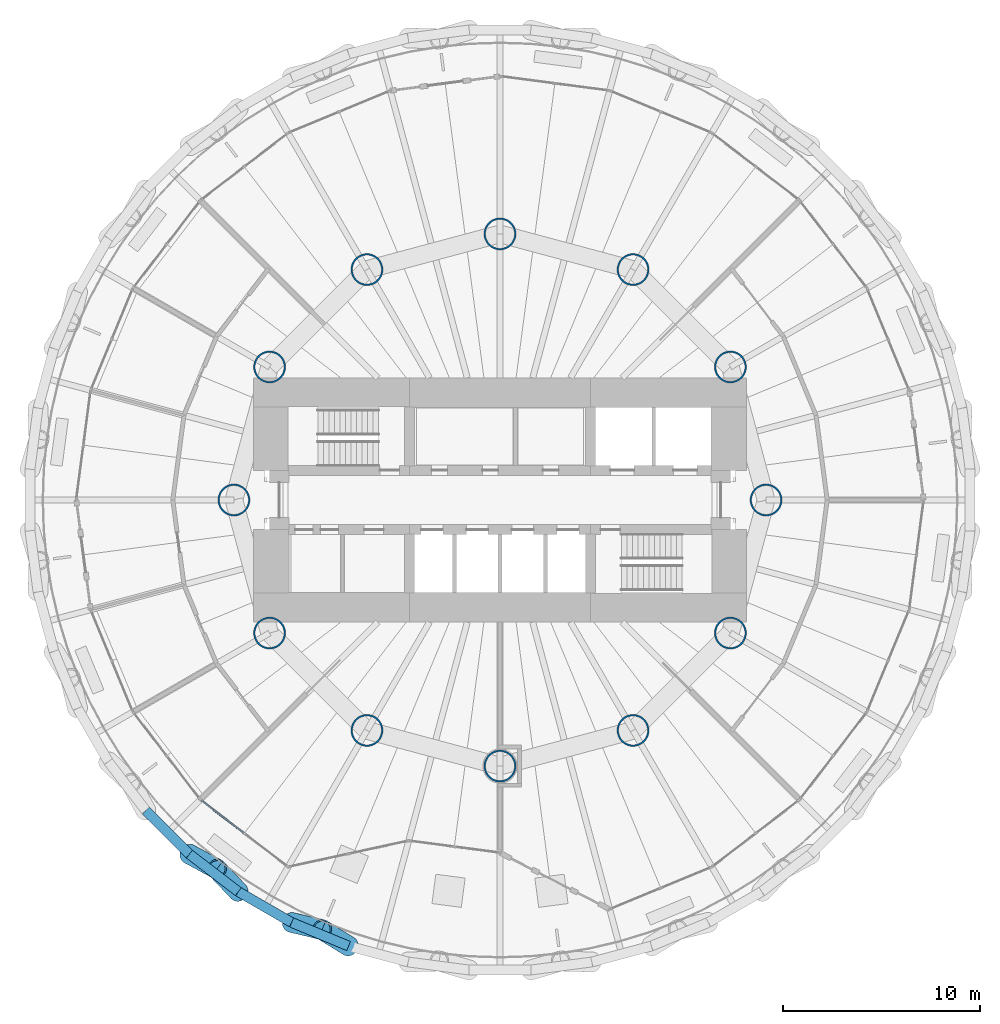
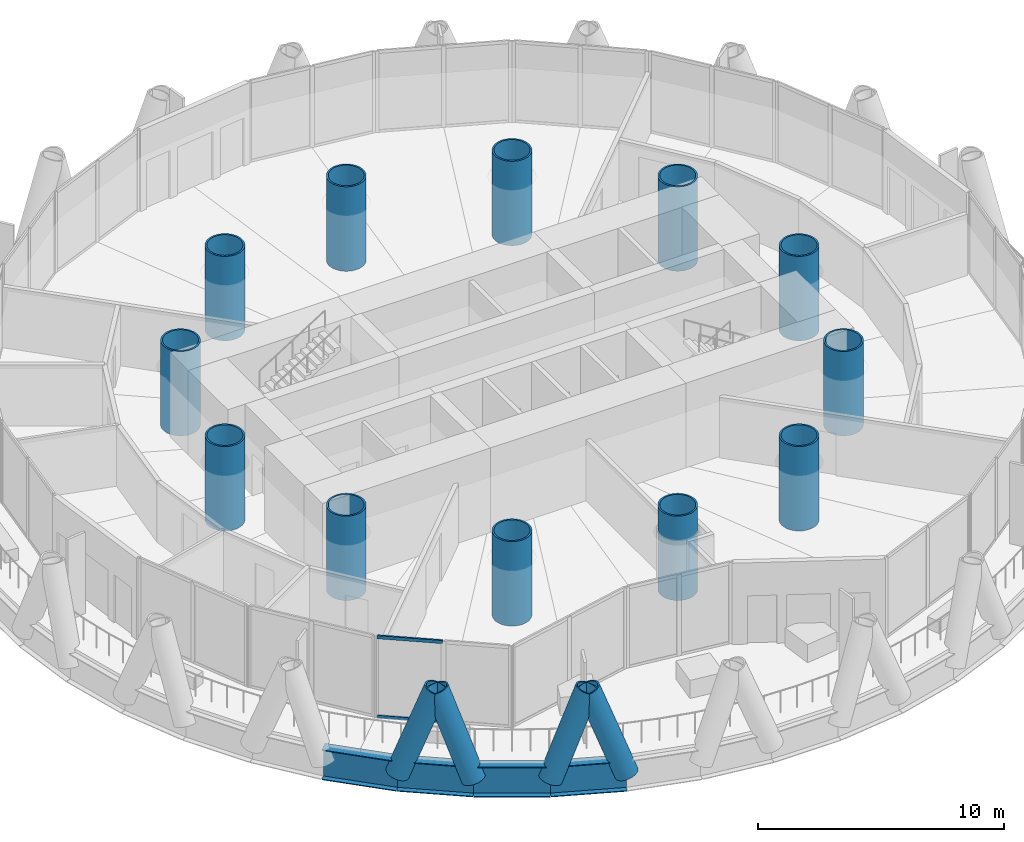
# One storey, part 1 of 15: 12 columns, 6 members, 4 beams, 1 element without a shape of its own.
"""IFC4 building model written with IfcOpenShell, lengths in metres."""

import ifcopenshell
import ifcopenshell.guid

model = None  # the IFC model being written
_history = None  # IfcOwnerHistory: only IFC2X3 demands one
_inside = {}  # id of a spatial element -> (the spatial element, [elements in it])
_under = {}  # id of a project, library or spatial element -> (it, [spatial elements below it])
_declared = {}  # id of a project -> (the project, [libraries it declares])
_typed = {}  # id of a type object -> (the type object, [elements of that type])
_made_of = {}  # id of a material, layer set ... -> (it, [elements and type objects made of it])


def new_model(schema):
    """Start an empty IFC model of exactly this schema.

    Asked for "IFC4X3", IfcOpenShell would pick the latest addendum, in which some entities
    have other attributes; the version numbers below select the first issue.
    IFC2X3 requires an IfcOwnerHistory on every rooted entity: one is made here for all.
    """
    global model, _history
    if schema == "IFC4X3":
        model = ifcopenshell.file(schema_version=(4, 3, 0, 0))
    else:
        model = ifcopenshell.file(schema=schema)
    _inside.clear()
    _under.clear()
    _declared.clear()
    _typed.clear()
    _made_of.clear()
    _history = None
    if model.schema == "IFC2X3":
        org = make("IfcOrganization", Name="unknown")
        user = make(
            "IfcPersonAndOrganization",
            ThePerson=make("IfcPerson", FamilyName="unknown"),
            TheOrganization=org,
        )
        app = make(
            "IfcApplication",
            ApplicationDeveloper=org,
            Version="unknown",
            ApplicationFullName="unknown",
            ApplicationIdentifier="unknown",
        )
        _history = make(
            "IfcOwnerHistory",
            OwningUser=user,
            OwningApplication=app,
            ChangeAction="ADDED",
            CreationDate=0,
        )
    return model


def make(cls, **values):
    """One entity of the class cls with the attributes given. An attribute that is None is left unset."""
    return model.create_entity(
        cls, **{name: value for name, value in values.items() if value is not None}
    )


def rooted(cls, **values):
    """An entity with a GlobalId (a new one), such as an element, a storey or a relation."""
    return make(cls, GlobalId=ifcopenshell.guid.new(), OwnerHistory=_history, **values)


def si_unit(unit_type, name, prefix=None):
    """IfcSIUnit, for example si_unit("LENGTHUNIT", "METRE", prefix="MILLI")."""
    return make("IfcSIUnit", UnitType=unit_type, Prefix=prefix, Name=name)


def assignment(units):
    """IfcUnitAssignment: the units of a project."""
    return None if units is None else make("IfcUnitAssignment", Units=units)


def point(xyz):
    """IfcCartesianPoint."""
    return None if xyz is None else make("IfcCartesianPoint", Coordinates=xyz)


def direction(xyz):
    """IfcDirection."""
    return None if xyz is None else make("IfcDirection", DirectionRatios=xyz)


def frame(location, z_axis=None, x_axis=None):
    """IfcAxis2Placement3D, a coordinate frame: its origin and axes. An axis left out is left unset."""
    return make(
        "IfcAxis2Placement3D",
        Location=point(location),
        Axis=direction(z_axis),
        RefDirection=direction(x_axis),
    )


def frame_2d(location, x_axis=None):
    """IfcAxis2Placement2D, a coordinate frame in the plane: its origin and x axis."""
    return make(
        "IfcAxis2Placement2D", Location=point(location), RefDirection=direction(x_axis)
    )


def origin():
    """The frame at (0, 0, 0) with its axes left unset."""
    return frame((0.0, 0.0, 0.0))


def origin_2d():
    """The frame at (0, 0) in the plane with its x axis left unset."""
    return frame_2d((0.0, 0.0))


def place(relative_to, where):
    """IfcLocalPlacement: puts the frame where relative to a parent placement (None: the world)."""
    return make(
        "IfcLocalPlacement", PlacementRelTo=relative_to, RelativePlacement=where
    )


def context(
    kind, dimensions, precision=None, world=None, true_north=None, identifier=None
):
    """IfcGeometricRepresentationContext, for example the 3D "Model" context."""
    return make(
        "IfcGeometricRepresentationContext",
        ContextIdentifier=identifier,
        ContextType=kind,
        CoordinateSpaceDimension=dimensions,
        Precision=precision,
        WorldCoordinateSystem=world,
        TrueNorth=true_north,
    )


def subcontext(parent, identifier, kind, view, scale=None):
    """IfcGeometricRepresentationSubContext, for example "Body" below "Model"."""
    return make(
        "IfcGeometricRepresentationSubContext",
        ContextIdentifier=identifier,
        ContextType=kind,
        ParentContext=parent,
        TargetScale=scale,
        TargetView=view,
    )


def project(units=None, contexts=None):
    """IfcProject with its units and contexts."""
    return rooted(
        "IfcProject",
        Name="project",
        RepresentationContexts=contexts,
        UnitsInContext=assignment(units),
    )


def spatial(cls, under=None, at=None, **own):
    """A site, building, storey or space (cls), placed at a placement, below another one or the project."""
    s = rooted(cls, ObjectPlacement=at, **own)
    if under is not None:
        _under.setdefault(under.id(), (under, []))[1].append(s)
    return s


def profile(cls, at=None, kind="AREA", **sizes):
    """A parametric profile (cls). Its sizes go by their IFC names, for example OverallWidth=200.0."""
    return make(cls, ProfileType=kind, Position=at, **sizes)


def rectangle(**sizes):
    """IfcRectangleProfileDef."""
    return profile("IfcRectangleProfileDef", **sizes)


def hollow_circle(**sizes):
    """IfcCircleHollowProfileDef."""
    return profile("IfcCircleHollowProfileDef", **sizes)


def i_section(**sizes):
    """IfcIShapeProfileDef."""
    return profile("IfcIShapeProfileDef", **sizes)


def extrude(swept, where, along, depth):
    """IfcExtrudedAreaSolid: the profile swept, set in the frame where, extruded along a direction by depth."""
    return make(
        "IfcExtrudedAreaSolid",
        SweptArea=swept,
        Position=where,
        ExtrudedDirection=direction(along),
        Depth=depth,
    )


def shape(context_of_items, identifier, shape_type, items):
    """IfcShapeRepresentation: the items that make up one representation, for example the "Body"."""
    return make(
        "IfcShapeRepresentation",
        ContextOfItems=context_of_items,
        RepresentationIdentifier=identifier,
        RepresentationType=shape_type,
        Items=items,
    )


def material(Name=None, Category=None):
    """IfcMaterial."""
    return make("IfcMaterial", Name=Name, Category=Category)


def material_profile(
    of_material, cross_section, Name=None, Category=None, Priority=None
):
    """IfcMaterialProfile: a cross section and its material."""
    return make(
        "IfcMaterialProfile",
        Name=Name,
        Material=of_material,
        Profile=cross_section,
        Priority=Priority,
        Category=Category,
    )


def profile_set(profiles, Name=None, composite=None):
    """IfcMaterialProfileSet."""
    return make(
        "IfcMaterialProfileSet",
        Name=Name,
        MaterialProfiles=profiles,
        CompositeProfile=composite,
    )


def made_of(thing, what):
    """Note that an element or type object is made of a material, layer set ...; save() writes the relation."""
    if what is not None:
        _made_of.setdefault(what.id(), (what, []))[1].append(thing)
    return thing


def type_object(cls, material=None, **own):
    """A type object (cls), such as IfcWallType, which elements share."""
    return made_of(rooted(cls, **own), material)


def element(
    cls,
    number,
    at=None,
    inside=None,
    cuts=None,
    type_object=None,
    material=None,
    context=None,
    identifier="Body",
    shape_type=None,
    held_by="IfcProductDefinitionShape",
    body=None,
    shapes=None,
    **own,
):
    """One element of the class cls, such as IfcWall. Its Tag is "e" and its number.

    at: its placement. inside: the storey or other place that contains it. cuts: it is an
    opening in that element (IfcRelVoidsElement). A single representation is given by context,
    identifier, shape_type and body (its items); several are given by shapes. held_by: the class
    of the entity that holds the representations. save() writes the other relations.
    """
    e = rooted(cls, Tag="e%d" % number, ObjectPlacement=at, **own)
    if body is not None:
        shapes = [shape(context, identifier, shape_type, body)]
    if shapes is not None:
        e.Representation = make(held_by, Representations=shapes)
    if inside is not None:
        _inside.setdefault(inside.id(), (inside, []))[1].append(e)
    if cuts is not None:
        rooted(
            "IfcRelVoidsElement", RelatingBuildingElement=cuts, RelatedOpeningElement=e
        )
    if type_object is not None:
        _typed.setdefault(type_object.id(), (type_object, []))[1].append(e)
    return made_of(e, material)


def aggregate(whole, parts):
    """IfcRelAggregates: a whole, such as a stair, and the parts it consists of."""
    return rooted("IfcRelAggregates", RelatingObject=whole, RelatedObjects=parts)


def save(model, path):
    """Write the relations noted so far, then the file.

    IfcRelAggregates (storeys below a building ...), IfcRelContainedInSpatialStructure (elements
    in a storey), IfcRelDefinesByType, IfcRelAssociatesMaterial and IfcRelDeclares: one each for
    every whole, place, type object, material and project.
    """
    for whole, parts in _under.values():
        aggregate(whole, parts)
    for where, things in _inside.values():
        rooted(
            "IfcRelContainedInSpatialStructure",
            RelatedElements=things,
            RelatingStructure=where,
        )
    for kind, things in _typed.values():
        rooted("IfcRelDefinesByType", RelatedObjects=things, RelatingType=kind)
    for what, things in _made_of.values():
        rooted("IfcRelAssociatesMaterial", RelatedObjects=things, RelatingMaterial=what)
    for by, libraries in _declared.values():
        rooted("IfcRelDeclares", RelatingContext=by, RelatedDefinitions=libraries)
    model.write(path)


model = new_model("IFC4")

# Units and contexts
model_context = context("Model", 3, precision=1e-05, world=origin(), true_north=direction((0.0, 1.0)))
body_context = subcontext(model_context, "Body", "Model", "MODEL_VIEW")
ifc_project = project(units=[si_unit("LENGTHUNIT", "METRE"), si_unit("AREAUNIT", "SQUARE_METRE"), si_unit("VOLUMEUNIT", "CUBIC_METRE"), si_unit("PLANEANGLEUNIT", "RADIAN"), si_unit("MASSUNIT", "GRAM", prefix="KILO")], contexts=[model_context])

# Site, building, storey
site_placement = place(None, origin())
site = spatial("IfcSite", under=ifc_project, at=site_placement, CompositionType="ELEMENT")
building_placement = place(site_placement, origin())
building = spatial("IfcBuilding", under=site, at=building_placement, Name="Qaws Media Tower", CompositionType="ELEMENT")
storey_placement = place(building_placement, frame((0.0, 0.0, 198.199951171875)))
storey = spatial("IfcBuildingStorey", under=building, at=storey_placement, Name="L45", CompositionType="ELEMENT", Elevation=198.199951171875)

# Columns
ifc_material_1 = material(Name="Steel S460", Category="steel")
ifc_material_profile_1 = material_profile(ifc_material_1, hollow_circle(Radius=0.81298828125, WallThickness=0.080078125, at=origin_2d()), Name="CHS 1626x80")
ifc_profile_set_1 = profile_set([ifc_material_profile_1], Name="Steel S460")
column_type = type_object("IfcColumnType", Name="Inner column CHS 1626x80", PredefinedType="COLUMN", material=ifc_profile_set_1)
for number, where, z_axis, x_axis, name in (
    (1, (73.5, 50.0, 0.0), (0.0, 0.0, 1.0), (1.0, 0.0, 0.0), "C6 inner column I01 L45"),
    (2, (71.69140625, 56.75, 0.0), (0.0, 0.0, 1.0), (1.0, 0.0, 0.0), "C6 inner column I02 L45"),
    (3, (66.75, 61.69140625, 0.0), (0.0, 0.0, 1.0), (1.0, 0.0, 0.0), "C6 inner column I03 L45"),
    (4, (60.0, 63.5, 0.0), (0.0, 0.0, 1.0), (1.0, 0.0, 0.0), "C6 inner column I04 L45"),
    (5, (53.25, 61.69140625, 0.0), (0.0, 0.0, 1.0), (1.0, 0.0, 0.0), "C6 inner column I05 L45"),
    (6, (48.30859375, 56.75, 0.0), (0.0, 0.0, 1.0), (1.0, 0.0, 0.0), "C6 inner column I06 L45"),
    (7, (46.5, 50.0, 0.0), (0.0, 0.0, 1.0), (1.0, 0.0, 0.0), "C6 inner column I07 L45"),
    (8, (48.30859375, 43.25, 0.0), (0.0, 0.0, 1.0), (1.0, 0.0, 0.0), "C6 inner column I08 L45"),
    (9, (53.25, 38.30859375, 0.0), (0.0, 0.0, 1.0), (1.0, 0.0, 0.0), "C6 inner column I09 L45"),
    (10, (60.0, 36.5, 0.0), (0.0, 0.0, 1.0), (1.0, 0.0, 0.0), "C6 inner column I10 L45"),
    (11, (66.75, 38.30859375, 0.0), (0.0, 0.0, 1.0), (1.0, 0.0, 0.0), "C6 inner column I11 L45"),
    (12, (71.69140625, 43.25, 0.0), (0.0, 0.0, 1.0), (1.0, 0.0, 0.0), "C6 inner column I12 L45"),
):
    element("IfcColumn", number, at=place(storey_placement, frame(where, z_axis=z_axis, x_axis=x_axis)), inside=storey, type_object=column_type, Name=name, PredefinedType="COLUMN", context=body_context, shape_type="SweptSolid", body=[
        extrude(hollow_circle(Radius=0.81298828125, WallThickness=0.080078125, at=origin_2d()), origin(), (0.0, 0.0, 1.0), 4.199951171875),
    ])

# Curtain wall, members
ifc_material_2 = material(Name="Aluminium and clear glass", Category="aluminium")
curtain_wall_type = type_object("IfcCurtainWallType", Name="Unitised curtain wall CW-C", PredefinedType="NOTDEFINED", material=ifc_material_2)
curtain_wall_placement = place(storey_placement, origin())
curtain_wall = element("IfcCurtainWall", 13, at=curtain_wall_placement, inside=storey, type_object=curtain_wall_type, Name="CWC curtain wall L45-16", PredefinedType="NOTDEFINED")
ifc_material_3 = material(Name="Aluminium transom", Category="aluminium")
ifc_material_profile_2 = material_profile(ifc_material_3, rectangle(XDim=0.080078125, YDim=0.159912109375, at=origin_2d()), Name="80x160")
ifc_profile_set_2 = profile_set([ifc_material_profile_2], Name="Aluminium transom")
member_type_1 = type_object("IfcMemberType", Name="Curtain wall transom 80x160", PredefinedType="USERDEFINED", material=ifc_profile_set_2)
member_1_placement = place(storey_placement, frame((44.860595703125, 34.74853515625, 0.0400390625), z_axis=(0.793386899068, -0.608717691863, 0.0), x_axis=(0.608717691863, 0.793386899068, 0.0)))
member_1 = element("IfcMember", 14, at=member_1_placement, type_object=member_type_1, Name="CWC transom 1.1", ObjectType="TRANSOM", PredefinedType="USERDEFINED", context=body_context, shape_type="SweptSolid", body=[
    extrude(rectangle(XDim=0.080078125, YDim=0.159912109375, at=origin_2d()), origin(), (0.0, 0.0, 1.0), 2.686279296875),
])
member_2_placement = place(storey_placement, frame((44.860595703125, 34.74853515625, 4.0), z_axis=(0.793386899068, -0.608717691863, 0.0), x_axis=(0.608717691863, 0.793386899068, 0.0)))
member_2 = element("IfcMember", 15, at=member_2_placement, type_object=member_type_1, Name="CWC transom 1.2", ObjectType="TRANSOM", PredefinedType="USERDEFINED", context=body_context, shape_type="SweptSolid", body=[
    extrude(rectangle(XDim=0.080078125, YDim=0.159912109375, at=origin_2d()), origin(), (0.0, 0.0, 1.0), 2.686279296875),
])
aggregate(curtain_wall, [member_1, member_2])

# Members
ifc_material_4 = material(Name="Steel S460", Category="steel")
ifc_material_profile_3 = material_profile(ifc_material_4, hollow_circle(Radius=0.508056640625, WallThickness=0.070068359375, at=origin_2d()), Name="CHS 1016x70")
ifc_profile_set_3 = profile_set([ifc_material_profile_3], Name="Steel S460")
member_type_2 = type_object("IfcMemberType", Name="Diagrid member CHS 1016x70", PredefinedType="USERDEFINED", material=ifc_profile_set_3)
for number, where, z_axis, x_axis, name in (
    (16, (44.24169921875, 32.031005859375, -0.909912109375), (0.310050534086, -0.168025631543, 0.935754269805), (0.476462021182, 0.879195053655, 0.0), "DG3 diagrid L45 A16"),
    (17, (49.42919921875, 28.564697265625, -0.909912109375), (0.343009853976, -0.082026460481, 0.935743501103), (0.232579556178, 0.972577374839, 0.0), "DG3 diagrid L45 A17"),
    (18, (46.721923828125, 30.1279296875, -0.909912109375), (-0.24254755553, 0.255983134408, 0.935758151557), (-0.725899989111, -0.687800265926, 0.0), "DG3 diagrid L45 B17"),
    (19, (52.317626953125, 27.368408203125, -0.909912109375), (-0.300531719733, 0.184507437707, 0.935755144717), (-0.523202112796, -0.85220863007, 0.0), "DG3 diagrid L45 B18"),
):
    element("IfcMember", number, at=place(storey_placement, frame(where, z_axis=z_axis, x_axis=x_axis)), inside=storey, type_object=member_type_2, Name=name, ObjectType="DIAGRID", PredefinedType="USERDEFINED", context=body_context, shape_type="SweptSolid", body=[
        extrude(hollow_circle(Radius=0.508056640625, WallThickness=0.070068359375, at=origin_2d()), origin(), (0.0, 0.0, 1.0), 4.48828125),
    ])

# Beams
ifc_material_5 = material(Name="Steel S460", Category="steel")
ifc_material_profile_4 = material_profile(ifc_material_5, i_section(OverallWidth=0.5, OverallDepth=1.5, WebThickness=0.02001953125, FlangeThickness=0.0400390625, at=origin_2d()), Name="PG 1500x500")
ifc_profile_set_4 = profile_set([ifc_material_profile_4], Name="Steel S460")
beam_type = type_object("IfcBeamType", Name="Edge ring beam PG 1500x500", PredefinedType="BEAM", material=ifc_profile_set_4)
beam_1_placement = place(storey_placement, frame((42.031005859375, 34.24169921875, -0.909912109375), z_axis=(0.707106781187, -0.707106781187, 0.0), x_axis=(0.707106781187, 0.707106781187, 0.0)))
element("IfcBeam", 20, at=beam_1_placement, inside=storey, type_object=beam_type, Name="RB4 edge ring beam L45-30", PredefinedType="BEAM", context=body_context, shape_type="SweptSolid", body=[
    extrude(i_section(OverallWidth=0.5, OverallDepth=1.5, WebThickness=0.02001953125, FlangeThickness=0.0400390625, at=origin_2d()), origin(), (0.0, 0.0, 1.0), 3.12646484375),
])
for number, where, z_axis, x_axis, name in (
    (21, (44.24169921875, 32.031005859375, -0.909912109375), (0.793363707434, -0.608747918048, 0.0), (0.608747918048, 0.793363707434, 0.0), "RB4 edge ring beam L45-31"),
    (22, (46.721923828125, 30.1279296875, -0.909912109375), (0.86599960537, -0.500044681503, 0.0), (0.500044681503, 0.86599960537, 0.0), "RB4 edge ring beam L45-32"),
):
    element("IfcBeam", number, at=place(storey_placement, frame(where, z_axis=z_axis, x_axis=x_axis)), inside=storey, type_object=beam_type, Name=name, PredefinedType="BEAM", context=body_context, shape_type="SweptSolid", body=[
        extrude(i_section(OverallWidth=0.5, OverallDepth=1.5, WebThickness=0.02001953125, FlangeThickness=0.0400390625, at=origin_2d()), origin(), (0.0, 0.0, 1.0), 3.126220703125),
    ])
beam_2_placement = place(storey_placement, frame((49.42919921875, 28.564697265625, -0.909912109375), z_axis=(0.923895011115, -0.382646061572, 0.0), x_axis=(0.382646061572, 0.923895011115, 0.0)))
element("IfcBeam", 23, at=beam_2_placement, inside=storey, type_object=beam_type, Name="RB4 edge ring beam L45-33", PredefinedType="BEAM", context=body_context, shape_type="SweptSolid", body=[
    extrude(i_section(OverallWidth=0.5, OverallDepth=1.5, WebThickness=0.02001953125, FlangeThickness=0.0400390625, at=origin_2d()), origin(), (0.0, 0.0, 1.0), 3.12646484375),
])

save(model, "model.ifc")
